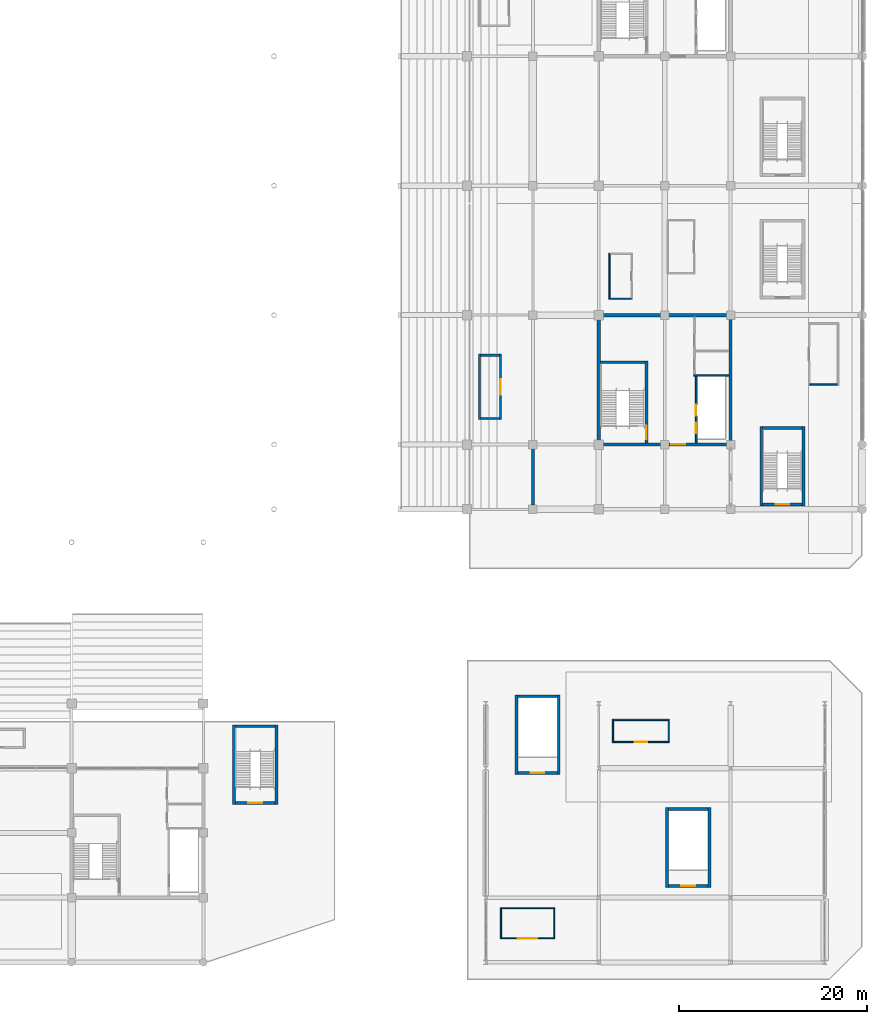
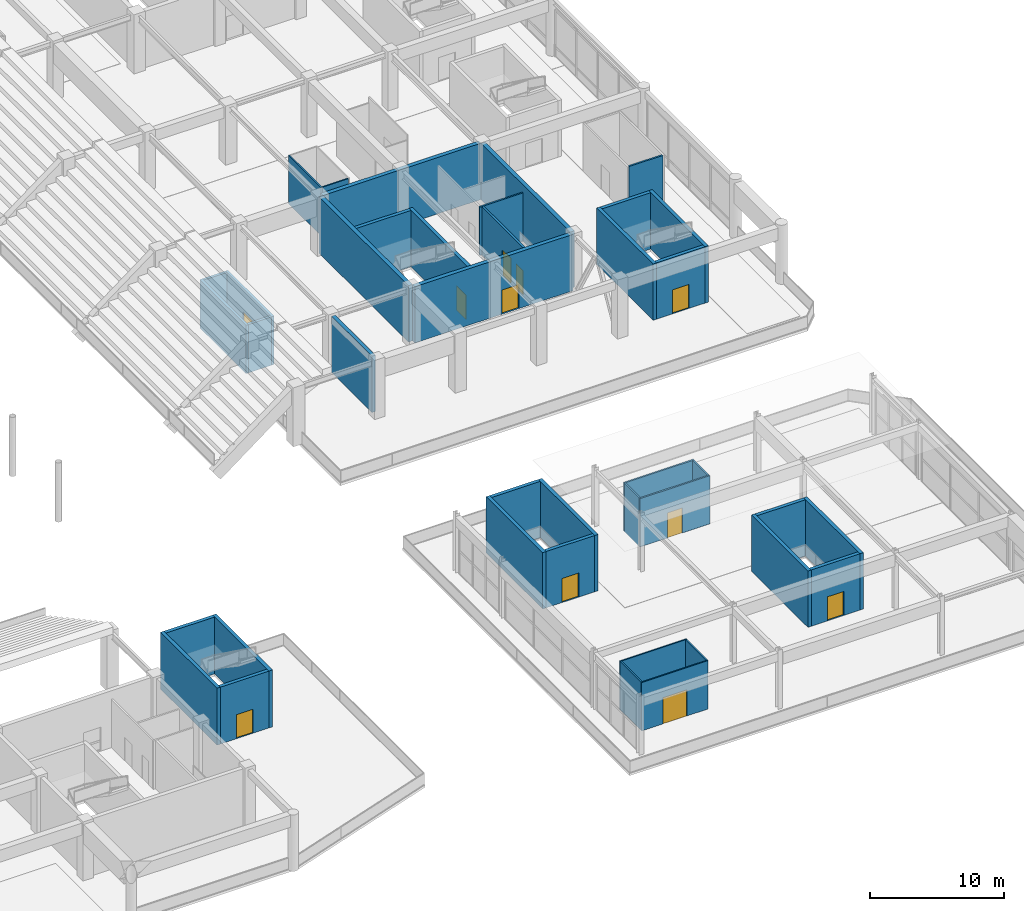
# One storey, part 92 of 117: 40 walls, 11 doors, 11 openings.
"""IFC4 building model written with IfcOpenShell, lengths in metres."""

from ifc_helpers import new_model, si_unit, direction, frame, frame_2d, origin, place, context, subcontext, project, spatial, rectangle, extrude, material, layer, layer_set, type_object, element, fill, save


model = new_model("IFC4")

# Units and contexts
model_context = context("Model", 3, precision=1e-05, world=origin(), true_north=direction((0.0, 1.0)))
body_context = subcontext(model_context, "Body", "Model", "MODEL_VIEW")
ifc_project = project(units=[si_unit("LENGTHUNIT", "METRE"), si_unit("AREAUNIT", "SQUARE_METRE"), si_unit("VOLUMEUNIT", "CUBIC_METRE"), si_unit("PLANEANGLEUNIT", "RADIAN"), si_unit("MASSUNIT", "GRAM", prefix="KILO")], contexts=[model_context])

# Site, building, storey
site_placement = place(None, origin())
site = spatial("IfcSite", under=ifc_project, at=site_placement, CompositionType="ELEMENT")
building_placement = place(site_placement, origin())
building = spatial("IfcBuilding", under=site, at=building_placement, Name="Linyun Crest Stadium", CompositionType="ELEMENT")
storey_placement = place(building_placement, frame((0.0, 0.0, 6.0)))
storey = spatial("IfcBuildingStorey", under=building, at=storey_placement, Name="L02", CompositionType="ELEMENT", Elevation=6.0)

# Walls
ifc_material_1 = material(Name="Concrete C50", Category="concrete")
ifc_layer_1 = layer(ifc_material_1, 0.35009765625)
ifc_layer_set_1 = layer_set([ifc_layer_1], Name="Concrete C50")
wall_type_1 = type_object("IfcWallType", Name="CW01", PredefinedType="SHEAR", material=ifc_layer_set_1)
for number, where, z_axis, x_axis, name in (
    (1, (70.0, -38.949951171875, 0.0), (0.0, 0.0, 1.0), (0.0, 1.0, 0.0), "Core shear wall CW01 CORE-E1 L02.1"),
    (2, (84.0, -38.949951171875, 0.0), (0.0, 0.0, 1.0), (0.0, 1.0, 0.0), "Core shear wall CW01 CORE-E1 L02.2"),
):
    element("IfcWall", number, at=place(storey_placement, frame(where, z_axis=z_axis, x_axis=x_axis)), inside=storey, type_object=wall_type_1, Name=name, PredefinedType="SHEAR", context=body_context, shape_type="SweptSolid", body=[
        extrude(rectangle(XDim=13.39990234375, YDim=0.35009765625, at=frame_2d((6.699951171875, 0.0))), origin(), (0.0, 0.0, 1.0), 5.14990234375),
    ])

# Wall, opening, door
wall_1_placement = place(storey_placement, frame((70.175048828125, -39.125, 0.0), z_axis=(0.0, 0.0, 1.0), x_axis=(1.0, 0.0, 0.0)))
wall_1 = element("IfcWall", 3, at=wall_1_placement, inside=storey, type_object=wall_type_1, Name="Core shear wall CW01 CORE-E1 L02.3", PredefinedType="SHEAR", context=body_context, shape_type="SweptSolid", body=[
    extrude(rectangle(XDim=13.64990234375, YDim=0.35009765625, at=frame_2d((6.824951171875, 0.0))), origin(), (0.0, 0.0, 1.0), 5.14990234375),
])
opening_1_placement = place(wall_1_placement, frame((7.508056640625, 0.0, 0.0)))
opening_1 = element("IfcOpeningElement", 4, at=opening_1_placement, cuts=wall_1, Name="Opening D-L02-160", PredefinedType="OPENING", context=body_context, shape_type="SweptSolid", body=[
    extrude(rectangle(XDim=1.5, YDim=2.199951171875, at=frame_2d((0.75, 1.10009765625))), frame((0.0, 0.18505859375, 0.0), z_axis=(0.0, -1.0, 0.0), x_axis=(1.0, 0.0, 0.0)), (0.0, 0.0, 1.0), 0.3701171875),
])
ifc_material_2 = material(Name="Galvanized steel Class A fire door", Category="steel")
ifc_layer_2 = layer(ifc_material_2, 0.054931640625)
ifc_layer_set_2 = layer_set([ifc_layer_2], Name="Galvanized steel Class A fire door")
door_type_1 = type_object("IfcDoorType", Name="FD01", OperationType="NOTDEFINED", PredefinedType="DOOR", material=ifc_layer_set_2)
door_1_placement = place(opening_1_placement, origin())
door_1 = element("IfcDoor", 5, at=door_1_placement, inside=storey, type_object=door_type_1, Name="Door D-L02-160", OperationType="SINGLE_SWING_RIGHT", OverallHeight=2.199951171875, OverallWidth=1.5, PredefinedType="DOOR", context=body_context, shape_type="SweptSolid", body=[
    extrude(rectangle(XDim=1.5, YDim=2.199951171875, at=frame_2d((0.75, 1.10009765625))), frame((0.0, 0.02490234375, 0.0), z_axis=(0.0, -1.0, 0.0), x_axis=(1.0, 0.0, 0.0)), (0.0, 0.0, 1.0), 0.050048828125),
])
fill(opening_1, door_1)

# Wall
wall_2_placement = place(storey_placement, frame((70.175048828125, -25.375, 0.0), z_axis=(0.0, 0.0, 1.0), x_axis=(1.0, 0.0, 0.0)))
element("IfcWall", 6, at=wall_2_placement, inside=storey, type_object=wall_type_1, Name="Core shear wall CW01 CORE-E1 L02.4", PredefinedType="SHEAR", context=body_context, shape_type="SweptSolid", body=[
    extrude(rectangle(XDim=13.64990234375, YDim=0.35009765625, at=frame_2d((6.824951171875, 0.0))), origin(), (0.0, 0.0, 1.0), 5.14990234375),
])

# Wall, openings, doors
ifc_material_3 = material(Name="Autoclaved aerated concrete block fire partition", Category="concrete")
ifc_layer_3 = layer(ifc_material_3, 0.179931640625)
ifc_layer_set_3 = layer_set([ifc_layer_3], Name="Autoclaved aerated concrete block fire partition")
wall_type_2 = type_object("IfcWallType", Name="PW12", PredefinedType="PARTITIONING", material=ifc_layer_set_3)
wall_3_placement = place(storey_placement, frame((80.35009765625, -38.949951171875, 0.0), z_axis=(0.0, 0.0, 1.0), x_axis=(0.0, 1.0, 0.0)))
wall_3 = element("IfcWall", 7, at=wall_3_placement, inside=storey, type_object=wall_type_2, Name="Partition PW12 L02 61", PredefinedType="PARTITIONING", context=body_context, shape_type="SweptSolid", body=[
    extrude(rectangle(XDim=7.10498046875, YDim=0.179931640625, at=frame_2d((3.552490234375, 0.0))), origin(), (0.0, 0.0, 1.0), 4.419921875),
])
opening_2_placement = place(wall_3_placement, frame((1.02490234375, 0.0, 0.0)))
opening_2 = element("IfcOpeningElement", 8, at=opening_2_placement, cuts=wall_3, Name="Opening LD053", PredefinedType="OPENING", context=body_context, shape_type="SweptSolid", body=[
    extrude(rectangle(XDim=1.10009765625, YDim=2.199951171875, at=frame_2d((0.550048828125, 1.10009765625))), frame((0.0, 0.099853515625, 0.0), z_axis=(0.0, -1.0, 0.0), x_axis=(1.0, 0.0, 0.0)), (0.0, 0.0, 1.0), 0.199951171875),
])
opening_3_placement = place(wall_3_placement, frame((2.875, 0.0, 0.0)))
opening_3 = element("IfcOpeningElement", 9, at=opening_3_placement, cuts=wall_3, Name="Opening LD054", PredefinedType="OPENING", context=body_context, shape_type="SweptSolid", body=[
    extrude(rectangle(XDim=1.199951171875, YDim=2.25, at=frame_2d((0.60009765625, 1.125))), frame((0.0, 0.099853515625, 0.0), z_axis=(0.0, -1.0, 0.0), x_axis=(1.0, 0.0, 0.0)), (0.0, 0.0, 1.0), 0.199951171875),
])
ifc_material_4 = material(Name="Brushed stainless sliding lift door")
ifc_layer_4 = layer(ifc_material_4, 0.050048828125)
ifc_layer_set_4 = layer_set([ifc_layer_4], Name="Brushed stainless sliding lift door")
door_type_2 = type_object("IfcDoorType", Name="LD01", OperationType="NOTDEFINED", PredefinedType="DOOR", material=ifc_layer_set_4)
door_2_placement = place(opening_2_placement, origin())
door_2 = element("IfcDoor", 10, at=door_2_placement, inside=storey, type_object=door_type_2, Name="Lift landing door LD053", OperationType="DOUBLE_DOOR_SLIDING", OverallHeight=2.199951171875, OverallWidth=1.10009765625, PredefinedType="DOOR", context=body_context, shape_type="SweptSolid", body=[
    extrude(rectangle(XDim=1.10009765625, YDim=2.199951171875, at=frame_2d((0.550048828125, 1.10009765625))), frame((0.0, 0.02490234375, 0.0), z_axis=(0.0, -1.0, 0.0), x_axis=(1.0, 0.0, 0.0)), (0.0, 0.0, 1.0), 0.050048828125),
])
fill(opening_2, door_2)
ifc_material_5 = material(Name="Brushed stainless sliding lift door")
ifc_layer_5 = layer(ifc_material_5, 0.050048828125)
ifc_layer_set_5 = layer_set([ifc_layer_5], Name="Brushed stainless sliding lift door")
door_type_3 = type_object("IfcDoorType", Name="LD02", OperationType="NOTDEFINED", PredefinedType="DOOR", material=ifc_layer_set_5)
door_3_placement = place(opening_3_placement, origin())
door_3 = element("IfcDoor", 11, at=door_3_placement, inside=storey, type_object=door_type_3, Name="Lift landing door LD054", OperationType="DOUBLE_DOOR_SLIDING", OverallHeight=2.25, OverallWidth=1.199951171875, PredefinedType="DOOR", context=body_context, shape_type="SweptSolid", body=[
    extrude(rectangle(XDim=1.199951171875, YDim=2.25, at=frame_2d((0.60009765625, 1.125))), frame((0.0, 0.02490234375, 0.0), z_axis=(0.0, -1.0, 0.0), x_axis=(1.0, 0.0, 0.0)), (0.0, 0.0, 1.0), 0.050048828125),
])
fill(opening_3, door_3)

# Walls
ifc_material_6 = material(Name="Steel-stud gypsum corridor fire partition", Category="steel")
ifc_layer_6 = layer(ifc_material_6, 0.14990234375)
ifc_layer_set_6 = layer_set([ifc_layer_6], Name="Steel-stud gypsum corridor fire partition")
wall_type_3 = type_object("IfcWallType", Name="PW14", PredefinedType="PARTITIONING", material=ifc_layer_set_6)
wall_4_placement = place(storey_placement, frame((92.428955078125, -32.761962890625, 0.0), z_axis=(0.0, 0.0, 1.0), x_axis=(1.0, 0.0, 0.0)))
element("IfcWall", 12, at=wall_4_placement, inside=storey, type_object=wall_type_3, Name="Enclosure partition PW14 L02 278", PredefinedType="PARTITIONING", context=body_context, shape_type="SweptSolid", body=[
    extrude(rectangle(XDim=2.91015625, YDim=0.14990234375, at=frame_2d((1.455078125, 0.0))), origin(), (0.0, 0.0, 1.0), 4.419921875),
])
ifc_material_7 = material(Name="Moisture-resistant ceramic-tiled wet-room wall")
ifc_layer_7 = layer(ifc_material_7, 0.139892578125)
ifc_layer_set_7 = layer_set([ifc_layer_7], Name="Moisture-resistant ceramic-tiled wet-room wall")
wall_type_4 = type_object("IfcWallType", Name="PW15", PredefinedType="PARTITIONING", material=ifc_layer_set_7)
wall_5_placement = place(storey_placement, frame((80.080078125, -31.77490234375, 0.0), z_axis=(0.0, 0.0, 1.0), x_axis=(1.0, 0.0, 0.0)))
element("IfcWall", 13, at=wall_5_placement, inside=storey, type_object=wall_type_4, Name="Enclosure partition PW15 L02 47", PredefinedType="PARTITIONING", context=body_context, shape_type="SweptSolid", body=[
    extrude(rectangle(XDim=3.744873046875, YDim=0.139892578125, at=frame_2d((1.87255859375, 0.0))), origin(), (0.0, 0.0, 1.0), 4.419921875),
])

# Wall, opening, door
ifc_material_8 = material(Name="Acoustic broadcast studio double-leaf partition")
ifc_layer_8 = layer(ifc_material_8, 0.219970703125)
ifc_layer_set_8 = layer_set([ifc_layer_8], Name="Acoustic broadcast studio double-leaf partition")
wall_type_5 = type_object("IfcWallType", Name="PW16", PredefinedType="PARTITIONING", material=ifc_layer_set_8)
wall_6_placement = place(storey_placement, frame((59.552001953125, -29.52294921875, 0.0), z_axis=(0.0, 0.0, 1.0), x_axis=(0.0, -1.0, 0.0)))
wall_6 = element("IfcWall", 14, at=wall_6_placement, inside=storey, type_object=wall_type_5, Name="Partition PW16 L02 188", PredefinedType="PARTITIONING", context=body_context, shape_type="SweptSolid", body=[
    extrude(rectangle(XDim=6.920166015625, YDim=0.219970703125, at=frame_2d((3.4599609375, 0.0))), origin(), (0.0, 0.0, 1.0), 4.419921875),
])
opening_4_placement = place(wall_6_placement, frame((2.635009765625, 0.0, 0.0)))
opening_4 = element("IfcOpeningElement", 15, at=opening_4_placement, cuts=wall_6, Name="Opening D-L02-451", PredefinedType="OPENING", context=body_context, shape_type="SweptSolid", body=[
    extrude(rectangle(XDim=1.64990234375, YDim=2.300048828125, at=frame_2d((0.824951171875, 1.14990234375))), frame((0.0, 0.119873046875, 0.0), z_axis=(0.0, -1.0, 0.0), x_axis=(1.0, 0.0, 0.0)), (0.0, 0.0, 1.0), 0.239990234375),
])
ifc_material_9 = material(Name="Double-leaf acoustic timber door", Category="wood")
ifc_layer_9 = layer(ifc_material_9, 0.050048828125)
ifc_layer_set_9 = layer_set([ifc_layer_9], Name="Double-leaf acoustic timber door")
door_type_4 = type_object("IfcDoorType", Name="ID09", OperationType="NOTDEFINED", PredefinedType="DOOR", material=ifc_layer_set_9)
door_4_placement = place(opening_4_placement, origin())
door_4 = element("IfcDoor", 16, at=door_4_placement, inside=storey, type_object=door_type_4, Name="Door D-L02-451", OperationType="SINGLE_SWING_LEFT", OverallHeight=2.300048828125, OverallWidth=1.64990234375, PredefinedType="DOOR", context=body_context, shape_type="SweptSolid", body=[
    extrude(rectangle(XDim=1.64990234375, YDim=2.300048828125, at=frame_2d((0.824951171875, 1.14990234375))), frame((0.0, 0.02490234375, 0.0), z_axis=(0.0, -1.0, 0.0), x_axis=(1.0, 0.0, 0.0)), (0.0, 0.0, 1.0), 0.050048828125),
])
fill(opening_4, door_4)

# Walls
wall_7_placement = place(storey_placement, frame((57.33203125, -36.443115234375, 0.0), z_axis=(0.0, 0.0, 1.0), x_axis=(0.0, 1.0, 0.0)))
element("IfcWall", 17, at=wall_7_placement, inside=storey, type_object=wall_type_5, Name="Enclosure partition PW16 L02 280", PredefinedType="PARTITIONING", context=body_context, shape_type="SweptSolid", body=[
    extrude(rectangle(XDim=6.920166015625, YDim=0.219970703125, at=frame_2d((3.4599609375, 0.0))), origin(), (0.0, 0.0, 1.0), 4.419921875),
])
for number, where, z_axis, x_axis, name in (
    (18, (57.44189453125, -36.3330078125, 0.0), (0.0, 0.0, 1.0), (1.0, 0.0, 0.0), "Enclosure partition PW16 L02 281"),
    (19, (57.44189453125, -29.633056640625, 0.0), (0.0, 0.0, 1.0), (1.0, 0.0, 0.0), "Enclosure partition PW16 L02 282"),
):
    element("IfcWall", number, at=place(storey_placement, frame(where, z_axis=z_axis, x_axis=x_axis)), inside=storey, type_object=wall_type_5, Name=name, PredefinedType="PARTITIONING", context=body_context, shape_type="SweptSolid", body=[
        extrude(rectangle(XDim=2.0, YDim=0.219970703125, at=frame_2d((1.0, 0.0))), origin(), (0.0, 0.0, 1.0), 4.419921875),
    ])

# Wall, opening, door
ifc_material_10 = material(Name="Lightweight demountable office partition")
ifc_layer_10 = layer(ifc_material_10, 0.110107421875)
ifc_layer_set_10 = layer_set([ifc_layer_10], Name="Lightweight demountable office partition")
wall_type_6 = type_object("IfcWallType", Name="PW18", PredefinedType="PARTITIONING", material=ifc_layer_set_10)
wall_8_placement = place(storey_placement, frame((65.31591796875, -91.5830078125, 0.0), z_axis=(0.0, 0.0, 1.0), x_axis=(-1.0, 0.0, 0.0)))
wall_8 = element("IfcWall", 20, at=wall_8_placement, inside=storey, type_object=wall_type_6, Name="Partition PW18 L02 199", PredefinedType="PARTITIONING", context=body_context, shape_type="SweptSolid", body=[
    extrude(rectangle(XDim=5.760009765625, YDim=0.110107421875, at=frame_2d((2.8798828125, 0.0))), origin(), (0.0, 0.0, 1.0), 4.419921875),
])
opening_5_placement = place(wall_8_placement, frame((1.85498046875, 0.0, 0.0)))
opening_5 = element("IfcOpeningElement", 21, at=opening_5_placement, cuts=wall_8, Name="Opening D-L02-462", PredefinedType="OPENING", context=body_context, shape_type="SweptSolid", body=[
    extrude(rectangle(XDim=2.050048828125, YDim=2.39990234375, at=frame_2d((1.02490234375, 1.199951171875))), frame((0.0, 0.06494140625, 0.0), z_axis=(0.0, -1.0, 0.0), x_axis=(1.0, 0.0, 0.0)), (0.0, 0.0, 1.0), 0.130126953125),
])
ifc_material_11 = material(Name="Double-leaf glazed aluminium door", Category="aluminium")
ifc_layer_11 = layer(ifc_material_11, 0.054931640625)
ifc_layer_set_11 = layer_set([ifc_layer_11], Name="Double-leaf glazed aluminium door")
door_type_5 = type_object("IfcDoorType", Name="ID07", OperationType="NOTDEFINED", PredefinedType="DOOR", material=ifc_layer_set_11)
door_5_placement = place(opening_5_placement, origin())
door_5 = element("IfcDoor", 22, at=door_5_placement, inside=storey, type_object=door_type_5, Name="Door D-L02-462", OperationType="DOUBLE_DOOR_SINGLE_SWING", OverallHeight=2.39990234375, OverallWidth=2.050048828125, PredefinedType="DOOR", context=body_context, shape_type="SweptSolid", body=[
    extrude(rectangle(XDim=2.050048828125, YDim=2.39990234375, at=frame_2d((1.02490234375, 1.199951171875))), frame((0.0, 0.02490234375, 0.0), z_axis=(0.0, -1.0, 0.0), x_axis=(1.0, 0.0, 0.0)), (0.0, 0.0, 1.0), 0.050048828125),
])
fill(opening_5, door_5)

# Walls
wall_9_placement = place(storey_placement, frame((71.135986328125, -23.68603515625, 0.0), z_axis=(0.0, 0.0, 1.0), x_axis=(0.0, 1.0, 0.0)))
element("IfcWall", 23, at=wall_9_placement, inside=storey, type_object=wall_type_6, Name="Enclosure partition PW18 L02 286", PredefinedType="PARTITIONING", context=body_context, shape_type="SweptSolid", body=[
    extrude(rectangle(XDim=4.89013671875, YDim=0.110107421875, at=frame_2d((2.445068359375, 0.0))), origin(), (0.0, 0.0, 1.0), 4.419921875),
])
wall_10_placement = place(storey_placement, frame((71.19091796875, -23.631103515625, 0.0), z_axis=(0.0, 0.0, 1.0), x_axis=(1.0, 0.0, 0.0)))
element("IfcWall", 24, at=wall_10_placement, inside=storey, type_object=wall_type_6, Name="Enclosure partition PW18 L02 287", PredefinedType="PARTITIONING", context=body_context, shape_type="SweptSolid", body=[
    extrude(rectangle(XDim=2.25, YDim=0.110107421875, at=frame_2d((1.125, 0.0))), origin(), (0.0, 0.0, 1.0), 4.419921875),
])
wall_11_placement = place(storey_placement, frame((59.555908203125, -88.383056640625, 0.0), z_axis=(0.0, 0.0, 1.0), x_axis=(1.0, 0.0, 0.0)))
element("IfcWall", 25, at=wall_11_placement, inside=storey, type_object=wall_type_6, Name="Enclosure partition PW18 L02 313", PredefinedType="PARTITIONING", context=body_context, shape_type="SweptSolid", body=[
    extrude(rectangle(XDim=5.760009765625, YDim=0.110107421875, at=frame_2d((2.8798828125, 0.0))), origin(), (0.0, 0.0, 1.0), 4.419921875),
])
for number, where, z_axis, x_axis, name in (
    (26, (59.611083984375, -91.528076171875, 0.0), (0.0, 0.0, 1.0), (0.0, 1.0, 0.0), "Enclosure partition PW18 L02 314"),
    (27, (65.260986328125, -91.528076171875, 0.0), (0.0, 0.0, 1.0), (0.0, 1.0, 0.0), "Enclosure partition PW18 L02 315"),
):
    element("IfcWall", number, at=place(storey_placement, frame(where, z_axis=z_axis, x_axis=x_axis)), inside=storey, type_object=wall_type_6, Name=name, PredefinedType="PARTITIONING", context=body_context, shape_type="SweptSolid", body=[
        extrude(rectangle(XDim=3.090087890625, YDim=0.110107421875, at=frame_2d((1.544921875, 0.0))), origin(), (0.0, 0.0, 1.0), 4.419921875),
    ])

# Wall, opening, door
ifc_material_12 = material(Name="Impact-resistant community sports hall lining")
ifc_layer_12 = layer(ifc_material_12, 0.135009765625)
ifc_layer_set_12 = layer_set([ifc_layer_12], Name="Impact-resistant community sports hall lining")
wall_type_7 = type_object("IfcWallType", Name="PW19", PredefinedType="PARTITIONING", material=ifc_layer_set_12)
wall_12_placement = place(storey_placement, frame((77.501953125, -70.72802734375, 0.0), z_axis=(0.0, 0.0, 1.0), x_axis=(-1.0, 0.0, 0.0)))
wall_12 = element("IfcWall", 28, at=wall_12_placement, inside=storey, type_object=wall_type_7, Name="Partition PW19 L02 200", PredefinedType="PARTITIONING", context=body_context, shape_type="SweptSolid", body=[
    extrude(rectangle(XDim=6.050048828125, YDim=0.135009765625, at=frame_2d((3.02490234375, 0.0))), origin(), (0.0, 0.0, 1.0), 4.419921875),
])
opening_6_placement = place(wall_12_placement, frame((2.375, 0.0, 0.0)))
opening_6 = element("IfcOpeningElement", 29, at=opening_6_placement, cuts=wall_12, Name="Opening D-L02-463", PredefinedType="OPENING", context=body_context, shape_type="SweptSolid", body=[
    extrude(rectangle(XDim=1.300048828125, YDim=2.300048828125, at=frame_2d((0.64990234375, 1.14990234375))), frame((0.0, 0.077392578125, 0.0), z_axis=(0.0, -1.0, 0.0), x_axis=(1.0, 0.0, 0.0)), (0.0, 0.0, 1.0), 0.155029296875),
])
ifc_material_13 = material(Name="High-STC acoustic steel studio door", Category="steel")
ifc_layer_13 = layer(ifc_material_13, 0.06494140625)
ifc_layer_set_13 = layer_set([ifc_layer_13], Name="High-STC acoustic steel studio door")
door_type_6 = type_object("IfcDoorType", Name="ID08", OperationType="NOTDEFINED", PredefinedType="DOOR", material=ifc_layer_set_13)
door_6_placement = place(opening_6_placement, origin())
door_6 = element("IfcDoor", 30, at=door_6_placement, inside=storey, type_object=door_type_6, Name="Door D-L02-463", OperationType="SINGLE_SWING_LEFT", OverallHeight=2.300048828125, OverallWidth=1.300048828125, PredefinedType="DOOR", context=body_context, shape_type="SweptSolid", body=[
    extrude(rectangle(XDim=1.300048828125, YDim=2.300048828125, at=frame_2d((0.64990234375, 1.14990234375))), frame((0.0, 0.02490234375, 0.0), z_axis=(0.0, -1.0, 0.0), x_axis=(1.0, 0.0, 0.0)), (0.0, 0.0, 1.0), 0.050048828125),
])
fill(opening_6, door_6)

# Walls
wall_13_placement = place(storey_placement, frame((71.451904296875, -68.367919921875, 0.0), z_axis=(0.0, 0.0, 1.0), x_axis=(1.0, 0.0, 0.0)))
element("IfcWall", 31, at=wall_13_placement, inside=storey, type_object=wall_type_7, Name="Enclosure partition PW19 L02 316", PredefinedType="PARTITIONING", context=body_context, shape_type="SweptSolid", body=[
    extrude(rectangle(XDim=6.050048828125, YDim=0.135009765625, at=frame_2d((3.02490234375, 0.0))), origin(), (0.0, 0.0, 1.0), 4.419921875),
])
for number, where, z_axis, x_axis, name in (
    (32, (71.52001953125, -70.659912109375, 0.0), (0.0, 0.0, 1.0), (0.0, 1.0, 0.0), "Enclosure partition PW19 L02 317"),
    (33, (77.43408203125, -70.659912109375, 0.0), (0.0, 0.0, 1.0), (0.0, 1.0, 0.0), "Enclosure partition PW19 L02 318"),
):
    element("IfcWall", number, at=place(storey_placement, frame(where, z_axis=z_axis, x_axis=x_axis)), inside=storey, type_object=wall_type_7, Name=name, PredefinedType="PARTITIONING", context=body_context, shape_type="SweptSolid", body=[
        extrude(rectangle(XDim=2.223876953125, YDim=0.135009765625, at=frame_2d((1.11181640625, 0.0))), origin(), (0.0, 0.0, 1.0), 4.419921875),
    ])
ifc_material_14 = material(Name="Concrete C50", Category="concrete")
ifc_layer_14 = layer(ifc_material_14, 0.300048828125)
ifc_layer_set_14 = layer_set([ifc_layer_14], Name="Concrete C50")
wall_type_8 = type_object("IfcWallType", Name="SW01", PredefinedType="SHEAR", material=ifc_layer_set_14)
wall_14_placement = place(storey_placement, frame((63.0, -45.550048828125, 0.0), z_axis=(0.0, 0.0, 1.0), x_axis=(0.0, 1.0, 0.0)))
element("IfcWall", 34, at=wall_14_placement, inside=storey, type_object=wall_type_8, Name="Shear wall SW01 L02 311", PredefinedType="SHEAR", context=body_context, shape_type="SweptSolid", body=[
    extrude(rectangle(XDim=6.050048828125, YDim=0.300048828125, at=frame_2d((3.02490234375, 0.0))), origin(), (0.0, 0.0, 1.0), 5.14990234375),
])

# Wall, opening, door
wall_15_placement = place(storey_placement, frame((75.050048828125, -38.949951171875, 0.0), z_axis=(0.0, 0.0, 1.0), x_axis=(0.0, 1.0, 0.0)))
wall_15 = element("IfcWall", 35, at=wall_15_placement, inside=storey, type_object=wall_type_8, Name="Core stair east bearing wall SW01 4 L02", PredefinedType="SHEAR", context=body_context, shape_type="SweptSolid", body=[
    extrude(rectangle(XDim=8.724853515625, YDim=0.300048828125, at=frame_2d((4.3623046875, 0.0))), origin(), (0.0, 0.0, 1.0), 5.14990234375),
])
opening_7_placement = place(wall_15_placement, frame((0.39501953125, 0.0, 0.0)))
opening_7 = element("IfcOpeningElement", 36, at=opening_7_placement, cuts=wall_15, Name="Opening D-L02-161", PredefinedType="OPENING", context=body_context, shape_type="SweptSolid", body=[
    extrude(rectangle(XDim=1.449951171875, YDim=2.199951171875, at=frame_2d((0.72509765625, 1.10009765625))), frame((0.0, 0.159912109375, 0.0), z_axis=(0.0, -1.0, 0.0), x_axis=(1.0, 0.0, 0.0)), (0.0, 0.0, 1.0), 0.320068359375),
])
ifc_material_15 = material(Name="Galvanized steel Class A fire door", Category="steel")
ifc_layer_15 = layer(ifc_material_15, 0.054931640625)
ifc_layer_set_15 = layer_set([ifc_layer_15], Name="Galvanized steel Class A fire door")
door_type_7 = type_object("IfcDoorType", Name="FD02", OperationType="NOTDEFINED", PredefinedType="DOOR", material=ifc_layer_set_15)
door_7_placement = place(opening_7_placement, origin())
door_7 = element("IfcDoor", 37, at=door_7_placement, inside=storey, type_object=door_type_7, Name="Door D-L02-161", OperationType="SINGLE_SWING_LEFT", OverallHeight=2.199951171875, OverallWidth=1.449951171875, PredefinedType="DOOR", context=body_context, shape_type="SweptSolid", body=[
    extrude(rectangle(XDim=1.449951171875, YDim=2.199951171875, at=frame_2d((0.72509765625, 1.10009765625))), frame((0.0, 0.02490234375, 0.0), z_axis=(0.0, -1.0, 0.0), x_axis=(1.0, 0.0, 0.0)), (0.0, 0.0, 1.0), 0.050048828125),
])
fill(opening_7, door_7)

# Wall
wall_16_placement = place(storey_placement, frame((70.175048828125, -30.375, 0.0), z_axis=(0.0, 0.0, 1.0), x_axis=(1.0, 0.0, 0.0)))
element("IfcWall", 38, at=wall_16_placement, inside=storey, type_object=wall_type_8, Name="Core stair bearing wall SW01 4 L02", PredefinedType="SHEAR", context=body_context, shape_type="SweptSolid", body=[
    extrude(rectangle(XDim=4.724853515625, YDim=0.300048828125, at=frame_2d((2.3623046875, 0.0))), origin(), (0.0, 0.0, 1.0), 5.14990234375),
])

# Wall, opening, door
wall_17_placement = place(storey_placement, frame((87.39990234375, -45.5, 0.0), z_axis=(0.0, 0.0, 1.0), x_axis=(1.0, 0.0, 0.0)))
wall_17 = element("IfcWall", 39, at=wall_17_placement, inside=storey, type_object=wall_type_8, Name="Stair shaft wall SW01 STR-18 L02 S", PredefinedType="SHEAR", context=body_context, shape_type="SweptSolid", body=[
    extrude(rectangle(XDim=4.2001953125, YDim=0.300048828125, at=frame_2d((2.10009765625, 0.0))), origin(), (0.0, 0.0, 1.0), 5.14990234375),
])
opening_8_placement = place(wall_17_placement, frame((1.375, 0.0, 0.0)))
opening_8 = element("IfcOpeningElement", 40, at=opening_8_placement, cuts=wall_17, Name="Opening D-L02-569", PredefinedType="OPENING", context=body_context, shape_type="SweptSolid", body=[
    extrude(rectangle(XDim=1.449951171875, YDim=2.199951171875, at=frame_2d((0.72509765625, 1.10009765625))), frame((0.0, 0.159912109375, 0.0), z_axis=(0.0, -1.0, 0.0), x_axis=(1.0, 0.0, 0.0)), (0.0, 0.0, 1.0), 0.320068359375),
])
door_8_placement = place(opening_8_placement, origin())
door_8 = element("IfcDoor", 41, at=door_8_placement, inside=storey, type_object=door_type_7, Name="Door D-L02-569", OperationType="SINGLE_SWING_LEFT", OverallHeight=2.199951171875, OverallWidth=1.449951171875, PredefinedType="DOOR", context=body_context, shape_type="SweptSolid", body=[
    extrude(rectangle(XDim=1.449951171875, YDim=2.199951171875, at=frame_2d((0.72509765625, 1.10009765625))), frame((0.0, 0.02490234375, 0.0), z_axis=(0.0, -1.0, 0.0), x_axis=(1.0, 0.0, 0.0)), (0.0, 0.0, 1.0), 0.050048828125),
])
fill(opening_8, door_8)

# Walls
wall_18_placement = place(storey_placement, frame((87.39990234375, -37.35009765625, 0.0), z_axis=(0.0, 0.0, 1.0), x_axis=(1.0, 0.0, 0.0)))
element("IfcWall", 42, at=wall_18_placement, inside=storey, type_object=wall_type_8, Name="Stair shaft wall SW01 STR-18 L02 N", PredefinedType="SHEAR", context=body_context, shape_type="SweptSolid", body=[
    extrude(rectangle(XDim=4.2001953125, YDim=0.300048828125, at=frame_2d((2.10009765625, 0.0))), origin(), (0.0, 0.0, 1.0), 5.14990234375),
])
for number, where, z_axis, x_axis, name in (
    (43, (87.25, -45.64990234375, 0.0), (0.0, 0.0, 1.0), (0.0, 1.0, 0.0), "Stair shaft wall SW01 STR-18 L02 W"),
    (44, (91.75, -45.64990234375, 0.0), (0.0, 0.0, 1.0), (0.0, 1.0, 0.0), "Stair shaft wall SW01 STR-18 L02 E"),
):
    element("IfcWall", number, at=place(storey_placement, frame(where, z_axis=z_axis, x_axis=x_axis)), inside=storey, type_object=wall_type_8, Name=name, PredefinedType="SHEAR", context=body_context, shape_type="SweptSolid", body=[
        extrude(rectangle(XDim=8.449951171875, YDim=0.300048828125, at=frame_2d((4.22509765625, 0.0))), origin(), (0.0, 0.0, 1.0), 5.14990234375),
    ])

# Wall, opening, door
wall_19_placement = place(storey_placement, frame((31.39990234375, -77.199951171875, 0.0), z_axis=(0.0, 0.0, 1.0), x_axis=(1.0, 0.0, 0.0)))
wall_19 = element("IfcWall", 45, at=wall_19_placement, inside=storey, type_object=wall_type_8, Name="Stair shaft wall SW01 STR-29 L02 S", PredefinedType="SHEAR", context=body_context, shape_type="SweptSolid", body=[
    extrude(rectangle(XDim=4.2001953125, YDim=0.300048828125, at=frame_2d((2.10009765625, 0.0))), origin(), (0.0, 0.0, 1.0), 5.199951171875),
])
opening_9_placement = place(wall_19_placement, frame((1.375, 0.0, 0.0)))
opening_9 = element("IfcOpeningElement", 46, at=opening_9_placement, cuts=wall_19, Name="Opening D-L02-625", PredefinedType="OPENING", context=body_context, shape_type="SweptSolid", body=[
    extrude(rectangle(XDim=1.449951171875, YDim=2.199951171875, at=frame_2d((0.72509765625, 1.10009765625))), frame((0.0, 0.159912109375, 0.0), z_axis=(0.0, -1.0, 0.0), x_axis=(1.0, 0.0, 0.0)), (0.0, 0.0, 1.0), 0.320068359375),
])
door_9_placement = place(opening_9_placement, origin())
door_9 = element("IfcDoor", 47, at=door_9_placement, inside=storey, type_object=door_type_7, Name="Door D-L02-625", OperationType="SINGLE_SWING_LEFT", OverallHeight=2.199951171875, OverallWidth=1.449951171875, PredefinedType="DOOR", context=body_context, shape_type="SweptSolid", body=[
    extrude(rectangle(XDim=1.449951171875, YDim=2.199951171875, at=frame_2d((0.72509765625, 1.10009765625))), frame((0.0, 0.02490234375, 0.0), z_axis=(0.0, -1.0, 0.0), x_axis=(1.0, 0.0, 0.0)), (0.0, 0.0, 1.0), 0.050048828125),
])
fill(opening_9, door_9)

# Walls
wall_20_placement = place(storey_placement, frame((31.39990234375, -69.050048828125, 0.0), z_axis=(0.0, 0.0, 1.0), x_axis=(1.0, 0.0, 0.0)))
element("IfcWall", 48, at=wall_20_placement, inside=storey, type_object=wall_type_8, Name="Stair shaft wall SW01 STR-29 L02 N", PredefinedType="SHEAR", context=body_context, shape_type="SweptSolid", body=[
    extrude(rectangle(XDim=4.2001953125, YDim=0.300048828125, at=frame_2d((2.10009765625, 0.0))), origin(), (0.0, 0.0, 1.0), 5.199951171875),
])
for number, where, z_axis, x_axis, name in (
    (49, (31.25, -77.35009765625, 0.0), (0.0, 0.0, 1.0), (0.0, 1.0, 0.0), "Stair shaft wall SW01 STR-29 L02 W"),
    (50, (35.75, -77.35009765625, 0.0), (0.0, 0.0, 1.0), (0.0, 1.0, 0.0), "Stair shaft wall SW01 STR-29 L02 E"),
):
    element("IfcWall", number, at=place(storey_placement, frame(where, z_axis=z_axis, x_axis=x_axis)), inside=storey, type_object=wall_type_8, Name=name, PredefinedType="SHEAR", context=body_context, shape_type="SweptSolid", body=[
        extrude(rectangle(XDim=8.4501953125, YDim=0.300048828125, at=frame_2d((4.22509765625, 0.0))), origin(), (0.0, 0.0, 1.0), 5.199951171875),
    ])

# Wall, opening, door
wall_21_placement = place(storey_placement, frame((77.39990234375, -86.0, 0.0), z_axis=(0.0, 0.0, 1.0), x_axis=(1.0, 0.0, 0.0)))
wall_21 = element("IfcWall", 51, at=wall_21_placement, inside=storey, type_object=wall_type_8, Name="Stair shaft wall SW01 STR-31 L02 S", PredefinedType="SHEAR", context=body_context, shape_type="SweptSolid", body=[
    extrude(rectangle(XDim=4.2001953125, YDim=0.300048828125, at=frame_2d((2.10009765625, 0.0))), origin(), (0.0, 0.0, 1.0), 5.14990234375),
])
opening_10_placement = place(wall_21_placement, frame((1.375, 0.0, 0.0)))
opening_10 = element("IfcOpeningElement", 52, at=opening_10_placement, cuts=wall_21, Name="Opening D-L02-632", PredefinedType="OPENING", context=body_context, shape_type="SweptSolid", body=[
    extrude(rectangle(XDim=1.449951171875, YDim=2.199951171875, at=frame_2d((0.72509765625, 1.10009765625))), frame((0.0, 0.159912109375, 0.0), z_axis=(0.0, -1.0, 0.0), x_axis=(1.0, 0.0, 0.0)), (0.0, 0.0, 1.0), 0.320068359375),
])
door_10_placement = place(opening_10_placement, origin())
door_10 = element("IfcDoor", 53, at=door_10_placement, inside=storey, type_object=door_type_7, Name="Door D-L02-632", OperationType="SINGLE_SWING_RIGHT", OverallHeight=2.199951171875, OverallWidth=1.449951171875, PredefinedType="DOOR", context=body_context, shape_type="SweptSolid", body=[
    extrude(rectangle(XDim=1.449951171875, YDim=2.199951171875, at=frame_2d((0.72509765625, 1.10009765625))), frame((0.0, 0.02490234375, 0.0), z_axis=(0.0, -1.0, 0.0), x_axis=(1.0, 0.0, 0.0)), (0.0, 0.0, 1.0), 0.050048828125),
])
fill(opening_10, door_10)

# Walls
wall_22_placement = place(storey_placement, frame((77.39990234375, -77.85009765625, 0.0), z_axis=(0.0, 0.0, 1.0), x_axis=(1.0, 0.0, 0.0)))
element("IfcWall", 54, at=wall_22_placement, inside=storey, type_object=wall_type_8, Name="Stair shaft wall SW01 STR-31 L02 N", PredefinedType="SHEAR", context=body_context, shape_type="SweptSolid", body=[
    extrude(rectangle(XDim=4.2001953125, YDim=0.300048828125, at=frame_2d((2.10009765625, 0.0))), origin(), (0.0, 0.0, 1.0), 5.14990234375),
])
for number, where, z_axis, x_axis, name in (
    (55, (77.25, -86.14990234375, 0.0), (0.0, 0.0, 1.0), (0.0, 1.0, 0.0), "Stair shaft wall SW01 STR-31 L02 W"),
    (56, (81.75, -86.14990234375, 0.0), (0.0, 0.0, 1.0), (0.0, 1.0, 0.0), "Stair shaft wall SW01 STR-31 L02 E"),
):
    element("IfcWall", number, at=place(storey_placement, frame(where, z_axis=z_axis, x_axis=x_axis)), inside=storey, type_object=wall_type_8, Name=name, PredefinedType="SHEAR", context=body_context, shape_type="SweptSolid", body=[
        extrude(rectangle(XDim=8.449951171875, YDim=0.300048828125, at=frame_2d((4.22509765625, 0.0))), origin(), (0.0, 0.0, 1.0), 5.14990234375),
    ])

# Wall, opening, door
wall_23_placement = place(storey_placement, frame((61.39990234375, -74.0, 0.0), z_axis=(0.0, 0.0, 1.0), x_axis=(1.0, 0.0, 0.0)))
wall_23 = element("IfcWall", 57, at=wall_23_placement, inside=storey, type_object=wall_type_8, Name="Stair shaft wall SW01 STR-32 L02 S", PredefinedType="SHEAR", context=body_context, shape_type="SweptSolid", body=[
    extrude(rectangle(XDim=4.2001953125, YDim=0.300048828125, at=frame_2d((2.10009765625, 0.0))), origin(), (0.0, 0.0, 1.0), 5.14990234375),
])
opening_11_placement = place(wall_23_placement, frame((1.375, 0.0, 0.0)))
opening_11 = element("IfcOpeningElement", 58, at=opening_11_placement, cuts=wall_23, Name="Opening D-L02-634", PredefinedType="OPENING", context=body_context, shape_type="SweptSolid", body=[
    extrude(rectangle(XDim=1.449951171875, YDim=2.199951171875, at=frame_2d((0.72509765625, 1.10009765625))), frame((0.0, 0.159912109375, 0.0), z_axis=(0.0, -1.0, 0.0), x_axis=(1.0, 0.0, 0.0)), (0.0, 0.0, 1.0), 0.320068359375),
])
door_11_placement = place(opening_11_placement, origin())
door_11 = element("IfcDoor", 59, at=door_11_placement, inside=storey, type_object=door_type_7, Name="Door D-L02-634", OperationType="SINGLE_SWING_RIGHT", OverallHeight=2.199951171875, OverallWidth=1.449951171875, PredefinedType="DOOR", context=body_context, shape_type="SweptSolid", body=[
    extrude(rectangle(XDim=1.449951171875, YDim=2.199951171875, at=frame_2d((0.72509765625, 1.10009765625))), frame((0.0, 0.02490234375, 0.0), z_axis=(0.0, -1.0, 0.0), x_axis=(1.0, 0.0, 0.0)), (0.0, 0.0, 1.0), 0.050048828125),
])
fill(opening_11, door_11)

# Walls
wall_24_placement = place(storey_placement, frame((61.39990234375, -65.85009765625, 0.0), z_axis=(0.0, 0.0, 1.0), x_axis=(1.0, 0.0, 0.0)))
element("IfcWall", 60, at=wall_24_placement, inside=storey, type_object=wall_type_8, Name="Stair shaft wall SW01 STR-32 L02 N", PredefinedType="SHEAR", context=body_context, shape_type="SweptSolid", body=[
    extrude(rectangle(XDim=4.2001953125, YDim=0.300048828125, at=frame_2d((2.10009765625, 0.0))), origin(), (0.0, 0.0, 1.0), 5.14990234375),
])
for number, where, z_axis, x_axis, name in (
    (61, (61.25, -74.14990234375, 0.0), (0.0, 0.0, 1.0), (0.0, 1.0, 0.0), "Stair shaft wall SW01 STR-32 L02 W"),
    (62, (65.75, -74.14990234375, 0.0), (0.0, 0.0, 1.0), (0.0, 1.0, 0.0), "Stair shaft wall SW01 STR-32 L02 E"),
):
    element("IfcWall", number, at=place(storey_placement, frame(where, z_axis=z_axis, x_axis=x_axis)), inside=storey, type_object=wall_type_8, Name=name, PredefinedType="SHEAR", context=body_context, shape_type="SweptSolid", body=[
        extrude(rectangle(XDim=8.449951171875, YDim=0.300048828125, at=frame_2d((4.22509765625, 0.0))), origin(), (0.0, 0.0, 1.0), 5.14990234375),
    ])

save(model, "model.ifc")
